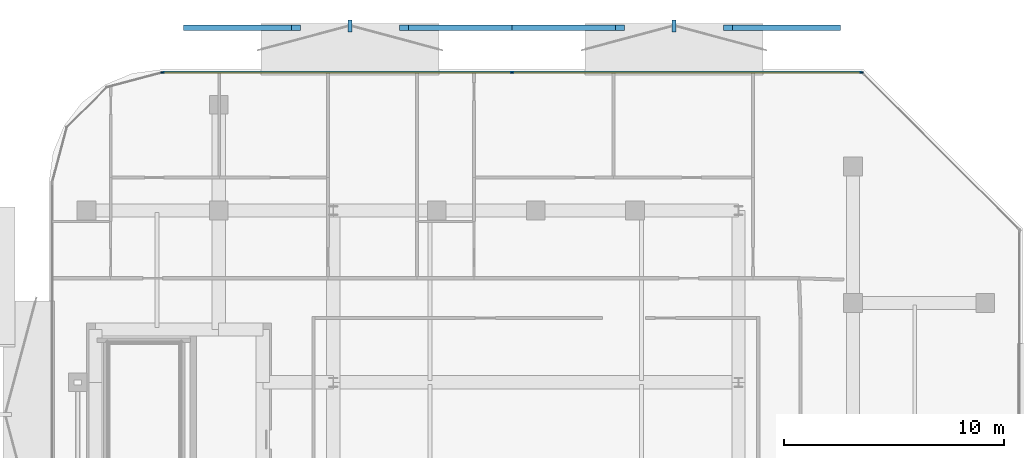
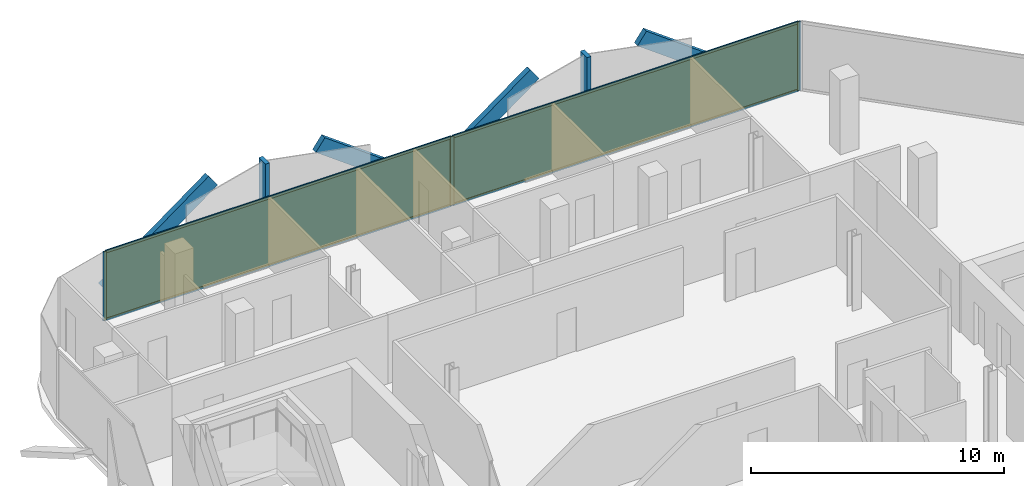
# One storey, part 11 of 15: 13 members, 2 plates, 1 curtain wall.
"""IFC4 building model written with IfcOpenShell, lengths in metres."""

from ifc_helpers import new_model, si_unit, direction, frame, frame_2d, origin, origin_2d, place, context, subcontext, project, spatial, rectangle, extrude, material, layer, layer_set, material_profile, profile_set, type_object, element, aggregate, save


model = new_model("IFC4")

# Units and contexts
model_context = context("Model", 3, precision=1e-05, world=origin(), true_north=direction((0.0, 1.0)))
body_context = subcontext(model_context, "Body", "Model", "MODEL_VIEW")
ifc_project = project(units=[si_unit("LENGTHUNIT", "METRE"), si_unit("AREAUNIT", "SQUARE_METRE"), si_unit("VOLUMEUNIT", "CUBIC_METRE"), si_unit("PLANEANGLEUNIT", "RADIAN"), si_unit("MASSUNIT", "GRAM", prefix="KILO")], contexts=[model_context])

# Member
ifc_material_1 = material(Name="Anodised Bronze Aluminium 6063-T6", Category="aluminium")
ifc_material_profile_1 = material_profile(ifc_material_1, rectangle(XDim=0.260009765625, YDim=0.699951171875, at=origin_2d()))
ifc_profile_set_1 = profile_set([ifc_material_profile_1], Name="Anodised Bronze Aluminium 6063-T6")
member_type_1 = type_object("IfcMemberType", Name="Bronze Diamond Solar-Screen Lattice Rib BDL-700", PredefinedType="MULLION", material=ifc_profile_set_1)
site_placement = place(None, origin())
building_placement = place(site_placement, origin())
storey_placement = place(building_placement, frame((0.0, 0.0, 254.800048828125)))
member_1_placement = place(storey_placement, frame((-15.790771484375, 26.89990234375, -0.130126953125), z_axis=(0.805995153309, 0.0, 0.591922134105), x_axis=(0.0, 1.0, 0.0)))
member_1 = element("IfcMember", 1, at=member_1_placement, type_object=member_type_1, Name="L60 Bronze Diamond Solar Screen Lattice Rib 413A", PredefinedType="MULLION", context=body_context, shape_type="SweptSolid", body=[
    extrude(rectangle(XDim=0.260009765625, YDim=0.699951171875, at=origin_2d()), origin(), (0.0, 0.0, 1.0), 6.08203125),
])

member_2_placement = place(storey_placement, frame((-1.08447265625, 26.89990234375, -0.130126953125), z_axis=(-0.805995153309, 0.0, 0.591922134105), x_axis=(0.0, -1.0, 0.0)))
member_2 = element("IfcMember", 2, at=member_2_placement, type_object=member_type_1, Name="L60 Bronze Diamond Solar Screen Lattice Rib 413B", PredefinedType="MULLION", context=body_context, shape_type="SweptSolid", body=[
    extrude(rectangle(XDim=0.260009765625, YDim=0.699951171875, at=origin_2d()), origin(), (0.0, 0.0, 1.0), 6.08203125),
])

member_3_placement = place(storey_placement, frame((-1.08447265625, 26.89990234375, -0.130126953125), z_axis=(0.805995153309, 0.0, 0.591922134105), x_axis=(0.0, 1.0, 0.0)))
member_3 = element("IfcMember", 3, at=member_3_placement, type_object=member_type_1, Name="L60 Bronze Diamond Solar Screen Lattice Rib 414A", PredefinedType="MULLION", context=body_context, shape_type="SweptSolid", body=[
    extrude(rectangle(XDim=0.260009765625, YDim=0.699951171875, at=origin_2d()), origin(), (0.0, 0.0, 1.0), 6.08203125),
])

member_4_placement = place(storey_placement, frame((13.6220703125, 26.89990234375, -0.130126953125), z_axis=(-0.805995153309, 0.0, 0.591922134105), x_axis=(0.0, -1.0, 0.0)))
member_4 = element("IfcMember", 4, at=member_4_placement, type_object=member_type_1, Name="L60 Bronze Diamond Solar Screen Lattice Rib 414B", PredefinedType="MULLION", context=body_context, shape_type="SweptSolid", body=[
    extrude(rectangle(XDim=0.260009765625, YDim=0.699951171875, at=origin_2d()), origin(), (0.0, 0.0, 1.0), 6.08203125),
])

ifc_material_2 = material(Name="Anodised Bronze Aluminium 6063-T6", Category="aluminium")
ifc_material_profile_2 = material_profile(ifc_material_2, rectangle(XDim=0.179931640625, YDim=0.5400390625, at=origin_2d()))
ifc_profile_set_2 = profile_set([ifc_material_profile_2], Name="Anodised Bronze Aluminium 6063-T6")
member_type_2 = type_object("IfcMemberType", Name="Bronze Solar-Screen Vertical Fold Fin BSF-540", PredefinedType="MULLION", material=ifc_profile_set_2)
member_5_placement = place(storey_placement, frame((-8.4375, 26.97998046875, -0.130126953125), z_axis=(0.0, 0.0, 1.0), x_axis=(1.0, 0.0, 0.0)))
member_5 = element("IfcMember", 5, at=member_5_placement, type_object=member_type_2, Name="L60 Bronze Solar Screen Vertical Fin 413", PredefinedType="MULLION", context=body_context, shape_type="SweptSolid", body=[
    extrude(rectangle(XDim=0.179931640625, YDim=0.5400390625, at=origin_2d()), origin(), (0.0, 0.0, 1.0), 3.60009765625),
])

member_6_placement = place(storey_placement, frame((6.268798828125, 26.97998046875, -0.130126953125), z_axis=(0.0, 0.0, 1.0), x_axis=(1.0, 0.0, 0.0)))
member_6 = element("IfcMember", 6, at=member_6_placement, type_object=member_type_2, Name="L60 Bronze Solar Screen Vertical Fin 414", PredefinedType="MULLION", context=body_context, shape_type="SweptSolid", body=[
    extrude(rectangle(XDim=0.179931640625, YDim=0.5400390625, at=origin_2d()), origin(), (0.0, 0.0, 1.0), 3.60009765625),
])

ifc_material_3 = material(Name="Anodised Bronze Aluminium 6063-T6", Category="aluminium")
ifc_material_profile_3 = material_profile(ifc_material_3, rectangle(XDim=0.06005859375, YDim=0.159912109375, at=origin_2d()))
ifc_profile_set_3 = profile_set([ifc_material_profile_3], Name="Anodised Bronze Aluminium 6063-T6")
member_type_3 = type_object("IfcMemberType", Name="CW-Z4 Mullion 60x160", PredefinedType="MULLION", material=ifc_profile_set_3)
member_7_placement = place(storey_placement, frame((-16.960693359375, 24.860107421875, 0.0), z_axis=(0.0, 0.0, 1.0), x_axis=(0.0, 1.0, 0.0)))
member_7 = element("IfcMember", 7, at=member_7_placement, type_object=member_type_3, Name="CW-Z4 mullion 1", PredefinedType="MULLION", context=body_context, shape_type="SweptSolid", body=[
    extrude(rectangle(XDim=0.06005859375, YDim=0.159912109375, at=origin_2d()), origin(), (0.0, 0.0, 1.0), 3.33984375),
])

member_8_placement = place(storey_placement, frame((-1.08447265625, 24.860107421875, 0.0), z_axis=(0.0, 0.0, 1.0), x_axis=(0.0, 1.0, 0.0)))
member_8 = element("IfcMember", 8, at=member_8_placement, type_object=member_type_3, Name="CW-Z4 mullion 2", PredefinedType="MULLION", context=body_context, shape_type="SweptSolid", body=[
    extrude(rectangle(XDim=0.06005859375, YDim=0.159912109375, at=origin_2d()), origin(), (0.0, 0.0, 1.0), 3.33984375),
])

member_9_placement = place(storey_placement, frame((14.7919921875, 24.860107421875, 0.0), z_axis=(0.0, 0.0, 1.0), x_axis=(0.0, 1.0, 0.0)))
member_9 = element("IfcMember", 9, at=member_9_placement, type_object=member_type_3, Name="CW-Z4 mullion 3", PredefinedType="MULLION", context=body_context, shape_type="SweptSolid", body=[
    extrude(rectangle(XDim=0.06005859375, YDim=0.159912109375, at=origin_2d()), origin(), (0.0, 0.0, 1.0), 3.33984375),
])

ifc_material_4 = material(Name="Anodised Bronze Aluminium 6063-T6", Category="aluminium")
ifc_material_profile_4 = material_profile(ifc_material_4, rectangle(XDim=0.06005859375, YDim=0.125, at=origin_2d()))
ifc_profile_set_4 = profile_set([ifc_material_profile_4], Name="Anodised Bronze Aluminium 6063-T6")
member_type_4 = type_object("IfcMemberType", Name="CW-Z4 Transom 60x125", PredefinedType="USERDEFINED", material=ifc_profile_set_4)
member_10_placement = place(storey_placement, frame((-16.930908203125, 24.860107421875, 0.030029296875), z_axis=(1.0, 0.0, 0.0), x_axis=(0.0, 1.0, 0.0)))
member_10 = element("IfcMember", 10, at=member_10_placement, type_object=member_type_4, Name="CW-Z4 transom 1.1", ObjectType="TRANSOM", PredefinedType="USERDEFINED", context=body_context, shape_type="SweptSolid", body=[
    extrude(rectangle(XDim=0.06005859375, YDim=0.125, at=origin_2d()), origin(), (0.0, 0.0, 1.0), 15.81640625),
])

member_11_placement = place(storey_placement, frame((-16.930908203125, 24.860107421875, 3.31005859375), z_axis=(1.0, 0.0, 0.0), x_axis=(0.0, 1.0, 0.0)))
member_11 = element("IfcMember", 11, at=member_11_placement, type_object=member_type_4, Name="CW-Z4 transom 1.2", ObjectType="TRANSOM", PredefinedType="USERDEFINED", context=body_context, shape_type="SweptSolid", body=[
    extrude(rectangle(XDim=0.06005859375, YDim=0.125, at=origin_2d()), origin(), (0.0, 0.0, 1.0), 15.81640625),
])

member_12_placement = place(storey_placement, frame((-1.054443359375, 24.860107421875, 0.030029296875), z_axis=(1.0, 0.0, 0.0), x_axis=(0.0, 1.0, 0.0)))
member_12 = element("IfcMember", 12, at=member_12_placement, type_object=member_type_4, Name="CW-Z4 transom 2.1", ObjectType="TRANSOM", PredefinedType="USERDEFINED", context=body_context, shape_type="SweptSolid", body=[
    extrude(rectangle(XDim=0.06005859375, YDim=0.125, at=origin_2d()), origin(), (0.0, 0.0, 1.0), 15.81640625),
])

member_13_placement = place(storey_placement, frame((-1.054443359375, 24.860107421875, 3.31005859375), z_axis=(1.0, 0.0, 0.0), x_axis=(0.0, 1.0, 0.0)))
member_13 = element("IfcMember", 13, at=member_13_placement, type_object=member_type_4, Name="CW-Z4 transom 2.2", ObjectType="TRANSOM", PredefinedType="USERDEFINED", context=body_context, shape_type="SweptSolid", body=[
    extrude(rectangle(XDim=0.06005859375, YDim=0.125, at=origin_2d()), origin(), (0.0, 0.0, 1.0), 15.81640625),
])

# Plate
ifc_material_5 = material(Name="Low-E Solar Control Laminated Glass", Category="glass")
ifc_layer_1 = layer(ifc_material_5, 0.030029296875, Name="Low-E Solar Control Laminated Glass")
ifc_layer_set_1 = layer_set([ifc_layer_1], Name="Low-E Solar Control Laminated Glass")
plate_type = type_object("IfcPlateType", Name="CW-Z4 Low-E Double Glazed Panel 30mm", PredefinedType="CURTAIN_PANEL", material=ifc_layer_set_1)
plate_1_placement = place(storey_placement, frame((-9.022705078125, 24.860107421875, 0.06005859375), z_axis=(0.0, 0.0, 1.0), x_axis=(1.0, 0.0, 0.0)))
plate_1 = element("IfcPlate", 14, at=plate_1_placement, type_object=plate_type, Name="CW-Z4 panel 1.1", PredefinedType="CURTAIN_PANEL", context=body_context, shape_type="SweptSolid", body=[
    extrude(rectangle(XDim=15.81640625, YDim=0.030029296875, at=origin_2d()), origin(), (0.0, 0.0, 1.0), 3.219970703125),
])

plate_2_placement = place(storey_placement, frame((6.853759765625, 24.860107421875, 0.06005859375), z_axis=(0.0, 0.0, 1.0), x_axis=(1.0, 0.0, 0.0)))
plate_2 = element("IfcPlate", 15, at=plate_2_placement, type_object=plate_type, Name="CW-Z4 panel 2.1", PredefinedType="CURTAIN_PANEL", context=body_context, shape_type="SweptSolid", body=[
    extrude(rectangle(XDim=15.81640625, YDim=0.030029296875, at=origin_2d()), origin(), (0.0, 0.0, 1.0), 3.219970703125),
])

# Site, building, storey
site = spatial("IfcSite", under=ifc_project, at=site_placement, CompositionType="ELEMENT")
building = spatial("IfcBuilding", under=site, at=building_placement, Name="Khairoan Windgate Tower", CompositionType="ELEMENT")
storey = spatial("IfcBuildingStorey", under=building, at=storey_placement, Name="L60", CompositionType="ELEMENT", Elevation=254.800048828125)

# Curtain wall
ifc_material_6 = material(Name="Anodised Bronze Aluminium 6063-T6", Category="aluminium")
ifc_layer_2 = layer(ifc_material_6, 0.159912109375, Name="Anodised Bronze Aluminium 6063-T6")
ifc_layer_set_2 = layer_set([ifc_layer_2], Name="Anodised Bronze Aluminium 6063-T6")
curtain_wall_type = type_object("IfcCurtainWallType", Name="Sky Residence Unitised Curtain Wall CW-Z4", PredefinedType="NOTDEFINED", material=ifc_layer_set_2)
curtain_wall_placement = place(storey_placement, frame((-16.99072265625, 24.860107421875, 0.0), z_axis=(0.0, 0.0, 1.0), x_axis=(1.0, 0.0, 0.0)))
curtain_wall = element("IfcCurtainWall", 16, at=curtain_wall_placement, inside=storey, type_object=curtain_wall_type, Name="L60 Unitised Curtain Wall 9", PredefinedType="NOTDEFINED", context=body_context, shape_type="SweptSolid", body=[
    extrude(rectangle(XDim=31.812744140625, YDim=0.010009765625, at=frame_2d((15.90625, 0.0))), origin(), (0.0, 0.0, 1.0), 3.33984375),
])

aggregate(curtain_wall, [member_7, member_8, member_9, member_10, member_11, plate_1, member_12, member_13, plate_2, member_1, member_2, member_5, member_3, member_4, member_6])

save(model, "model.ifc")
